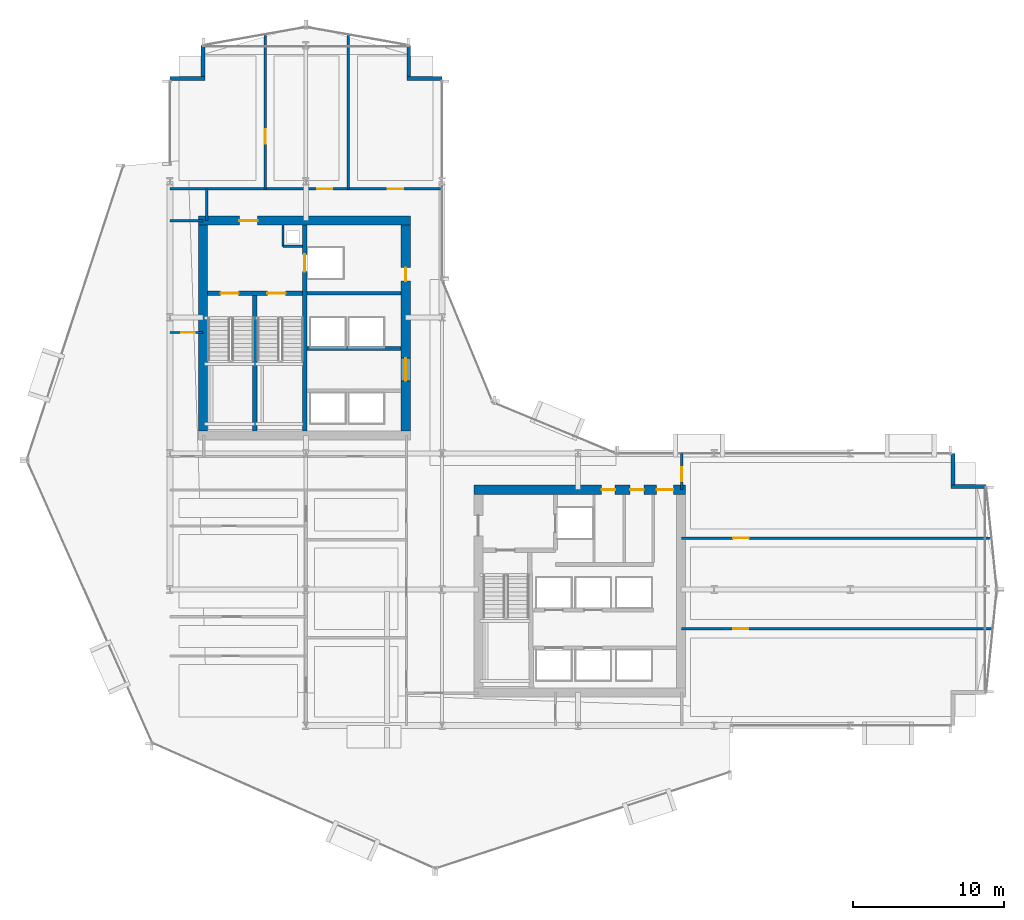
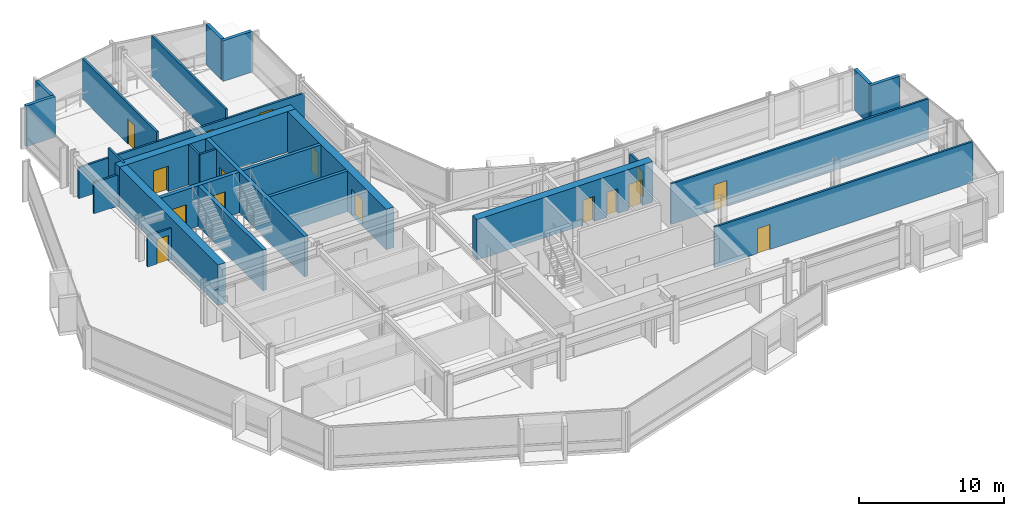
# One storey, part 28 of 34: 26 walls, 16 doors, 16 openings.
"""IFC4 building model written with IfcOpenShell, lengths in metres."""

from ifc_helpers import new_model, si_unit, direction, frame, frame_2d, origin, place, context, subcontext, project, spatial, rectangle, extrude, material, layer, layer_set, type_object, element, fill, save


model = new_model("IFC4")

# Units and contexts
model_context = context("Model", 3, precision=1e-05, world=origin(), true_north=direction((0.0, 1.0)))
body_context = subcontext(model_context, "Body", "Model", "MODEL_VIEW")
ifc_project = project(units=[si_unit("LENGTHUNIT", "METRE"), si_unit("AREAUNIT", "SQUARE_METRE"), si_unit("VOLUMEUNIT", "CUBIC_METRE"), si_unit("PLANEANGLEUNIT", "RADIAN"), si_unit("MASSUNIT", "GRAM", prefix="KILO")], contexts=[model_context])

# Site, building, storey
site_placement = place(None, origin())
site = spatial("IfcSite", under=ifc_project, at=site_placement, CompositionType="ELEMENT")
building_placement = place(site_placement, origin())
building = spatial("IfcBuilding", under=site, at=building_placement, Name="Solvaryn Broadcast Tower", CompositionType="ELEMENT")
storey_placement = place(building_placement, frame((0.0, 0.0, 36.0)))
storey = spatial("IfcBuildingStorey", under=building, at=storey_placement, Name="L07", CompositionType="ELEMENT", Elevation=36.0)

# Wall, opening, door
ifc_material_1 = material(Name="Concrete f'c 70 MPa", Category="concrete")
ifc_layer_1 = layer(ifc_material_1, 0.60009765625)
ifc_layer_set_1 = layer_set([ifc_layer_1], Name="CW-SHEAR-600")
wall_type_1 = type_object("IfcWallType", Name="CW-SHEAR-600", PredefinedType="SHEAR", material=ifc_layer_set_1)
wall_1_placement = place(storey_placement, frame((24.89990234375, 42.39990234375, 0.0), z_axis=(0.0, 0.0, 1.0), x_axis=(-1.0, 0.0, 0.0)))
wall_1 = element("IfcWall", 1, at=wall_1_placement, inside=storey, type_object=wall_type_1, Name="L07 West Core North Shear Wall", PredefinedType="SHEAR", context=body_context, shape_type="SweptSolid", body=[
    extrude(rectangle(XDim=14.0, YDim=0.60009765625, at=frame_2d((7.0, 0.0))), origin(), (0.0, 0.0, 1.0), 3.419921875),
])
opening_1_placement = place(wall_1_placement, frame((10.10009765625, 0.0, 0.0)))
opening_1 = element("IfcOpeningElement", 2, at=opening_1_placement, cuts=wall_1, Name="Opening FD90A", PredefinedType="OPENING", context=body_context, shape_type="SweptSolid", body=[
    extrude(rectangle(XDim=1.199951171875, YDim=2.14990234375, at=frame_2d((0.60009765625, 1.074951171875))), frame((0.0, 0.31005859375, 0.0), z_axis=(0.0, -1.0, 0.0), x_axis=(1.0, 0.0, 0.0)), (0.0, 0.0, 1.0), 0.6201171875),
])
ifc_material_2 = material(Name="Flush Acoustic Steel and Timber Door Assembly", Category="steel")
door_type_1 = type_object("IfcDoorType", Name="FD90-STAIR-1200X2150", OperationType="NOTDEFINED", PredefinedType="DOOR", material=ifc_material_2)
door_1_placement = place(opening_1_placement, origin())
door_1 = element("IfcDoor", 3, at=door_1_placement, inside=storey, type_object=door_type_1, Name="L07 West FSAE Lobby Corridor Door", OperationType="SINGLE_SWING_LEFT", OverallHeight=2.14990234375, OverallWidth=1.199951171875, PredefinedType="DOOR", context=body_context, shape_type="SweptSolid", body=[
    extrude(rectangle(XDim=1.199951171875, YDim=2.14990234375, at=frame_2d((0.60009765625, 1.074951171875))), frame((0.0, 0.02490234375, 0.0), z_axis=(0.0, -1.0, 0.0), x_axis=(1.0, 0.0, 0.0)), (0.0, 0.0, 1.0), 0.050048828125),
])
fill(opening_1, door_1)

# Wall
wall_2_placement = place(storey_placement, frame((11.199951171875, 42.10009765625, 0.0), z_axis=(0.0, 0.0, 1.0), x_axis=(0.0, -1.0, 0.0)))
element("IfcWall", 4, at=wall_2_placement, inside=storey, type_object=wall_type_1, Name="L07 West Core West Shear Wall", PredefinedType="SHEAR", context=body_context, shape_type="SweptSolid", body=[
    extrude(rectangle(XDim=13.60009765625, YDim=0.60009765625, at=frame_2d((6.800048828125, 0.0))), origin(), (0.0, 0.0, 1.0), 3.419921875),
])

# Wall, openings, doors
wall_3_placement = place(storey_placement, frame((24.60009765625, 28.5, 0.0), z_axis=(0.0, 0.0, 1.0), x_axis=(0.0, 1.0, 0.0)))
wall_3 = element("IfcWall", 5, at=wall_3_placement, inside=storey, type_object=wall_type_1, Name="L07 West Core East Shear Wall", PredefinedType="SHEAR", context=body_context, shape_type="SweptSolid", body=[
    extrude(rectangle(XDim=13.60009765625, YDim=0.60009765625, at=frame_2d((6.800048828125, 0.0))), origin(), (0.0, 0.0, 1.0), 3.419921875),
])
opening_2_placement = place(wall_3_placement, frame((3.300048828125, 0.0, 0.0)))
opening_2 = element("IfcOpeningElement", 6, at=opening_2_placement, cuts=wall_3, Name="Opening FD60A", PredefinedType="OPENING", context=body_context, shape_type="SweptSolid", body=[
    extrude(rectangle(XDim=1.5, YDim=2.199951171875, at=frame_2d((0.75, 1.10009765625))), frame((0.0, 0.31005859375, 0.0), z_axis=(0.0, -1.0, 0.0), x_axis=(1.0, 0.0, 0.0)), (0.0, 0.0, 1.0), 0.6201171875),
])
opening_3_placement = place(wall_3_placement, frame((9.89990234375, 0.0, 0.0)))
opening_3 = element("IfcOpeningElement", 7, at=opening_3_placement, cuts=wall_3, Name="Opening FD60C", PredefinedType="OPENING", context=body_context, shape_type="SweptSolid", body=[
    extrude(rectangle(XDim=0.89990234375, YDim=2.10009765625, at=frame_2d((0.449951171875, 1.050048828125))), frame((0.0, 0.31005859375, 0.0), z_axis=(0.0, -1.0, 0.0), x_axis=(1.0, 0.0, 0.0)), (0.0, 0.0, 1.0), 0.6201171875),
])
ifc_material_3 = material(Name="Flush Acoustic Steel and Timber Door Assembly", Category="steel")
door_type_2 = type_object("IfcDoorType", Name="FD60-CORR-1500X2200", OperationType="NOTDEFINED", PredefinedType="DOOR", material=ifc_material_3)
door_2_placement = place(opening_2_placement, origin())
door_2 = element("IfcDoor", 8, at=door_2_placement, inside=storey, type_object=door_type_2, Name="L07 West Elevator Lobby Corridor Door", OperationType="DOUBLE_DOOR_SINGLE_SWING", OverallHeight=2.199951171875, OverallWidth=1.5, PredefinedType="DOOR", context=body_context, shape_type="SweptSolid", body=[
    extrude(rectangle(XDim=1.5, YDim=2.199951171875, at=frame_2d((0.75, 1.10009765625))), frame((0.0, 0.02490234375, 0.0), z_axis=(0.0, -1.0, 0.0), x_axis=(1.0, 0.0, 0.0)), (0.0, 0.0, 1.0), 0.050048828125),
])
fill(opening_2, door_2)
ifc_material_4 = material(Name="Flush Acoustic Steel and Timber Door Assembly", Category="steel")
door_type_3 = type_object("IfcDoorType", Name="FD60-SERV-900X2100", OperationType="NOTDEFINED", PredefinedType="DOOR", material=ifc_material_4)
door_3_placement = place(opening_3_placement, origin())
door_3 = element("IfcDoor", 9, at=door_3_placement, inside=storey, type_object=door_type_3, Name="L07 West Core Service Door 1", OperationType="SINGLE_SWING_LEFT", OverallHeight=2.10009765625, OverallWidth=0.89990234375, PredefinedType="DOOR", context=body_context, shape_type="SweptSolid", body=[
    extrude(rectangle(XDim=0.89990234375, YDim=2.10009765625, at=frame_2d((0.449951171875, 1.050048828125))), frame((0.0, 0.02490234375, 0.0), z_axis=(0.0, -1.0, 0.0), x_axis=(1.0, 0.0, 0.0)), (0.0, 0.0, 1.0), 0.050048828125),
])
fill(opening_3, door_3)

wall_4_placement = place(storey_placement, frame((43.10009765625, 24.60009765625, 0.0), z_axis=(0.0, 0.0, 1.0), x_axis=(-1.0, 0.0, 0.0)))
wall_4 = element("IfcWall", 10, at=wall_4_placement, inside=storey, type_object=wall_type_1, Name="L07 East Core North Shear Wall", PredefinedType="SHEAR", context=body_context, shape_type="SweptSolid", body=[
    extrude(rectangle(XDim=14.0, YDim=0.60009765625, at=frame_2d((7.0, 0.0))), origin(), (0.0, 0.0, 1.0), 3.419921875),
])
opening_4_placement = place(wall_4_placement, frame((0.800048828125, 0.0, 0.0)))
opening_4 = element("IfcOpeningElement", 11, at=opening_4_placement, cuts=wall_4, Name="Opening FD90C", PredefinedType="OPENING", context=body_context, shape_type="SweptSolid", body=[
    extrude(rectangle(XDim=1.10009765625, YDim=2.14990234375, at=frame_2d((0.550048828125, 1.074951171875))), frame((0.0, 0.31005859375, 0.0), z_axis=(0.0, -1.0, 0.0), x_axis=(1.0, 0.0, 0.0)), (0.0, 0.0, 1.0), 0.6201171875),
])
opening_5_placement = place(wall_4_placement, frame((2.75, 0.0, 0.0)))
opening_5 = element("IfcOpeningElement", 12, at=opening_5_placement, cuts=wall_4, Name="Opening FD60C", PredefinedType="OPENING", context=body_context, shape_type="SweptSolid", body=[
    extrude(rectangle(XDim=0.89990234375, YDim=2.10009765625, at=frame_2d((0.449951171875, 1.050048828125))), frame((0.0, 0.31005859375, 0.0), z_axis=(0.0, -1.0, 0.0), x_axis=(1.0, 0.0, 0.0)), (0.0, 0.0, 1.0), 0.6201171875),
])
opening_6_placement = place(wall_4_placement, frame((4.64990234375, 0.0, 0.0)))
opening_6 = element("IfcOpeningElement", 13, at=opening_6_placement, cuts=wall_4, Name="Opening FD60C", PredefinedType="OPENING", context=body_context, shape_type="SweptSolid", body=[
    extrude(rectangle(XDim=0.89990234375, YDim=2.10009765625, at=frame_2d((0.449951171875, 1.050048828125))), frame((0.0, 0.31005859375, 0.0), z_axis=(0.0, -1.0, 0.0), x_axis=(1.0, 0.0, 0.0)), (0.0, 0.0, 1.0), 0.6201171875),
])
door_4_placement = place(opening_5_placement, origin())
door_4 = element("IfcDoor", 14, at=door_4_placement, inside=storey, type_object=door_type_3, Name="L07 Staff Restroom Door", OperationType="SINGLE_SWING_LEFT", OverallHeight=2.10009765625, OverallWidth=0.89990234375, PredefinedType="DOOR", context=body_context, shape_type="SweptSolid", body=[
    extrude(rectangle(XDim=0.89990234375, YDim=2.10009765625, at=frame_2d((0.449951171875, 1.050048828125))), frame((0.0, 0.02490234375, 0.0), z_axis=(0.0, -1.0, 0.0), x_axis=(1.0, 0.0, 0.0)), (0.0, 0.0, 1.0), 0.050048828125),
])
fill(opening_5, door_4)
door_5_placement = place(opening_6_placement, origin())
door_5 = element("IfcDoor", 15, at=door_5_placement, inside=storey, type_object=door_type_3, Name="L07 Accessible WC Door", OperationType="SINGLE_SWING_RIGHT", OverallHeight=2.10009765625, OverallWidth=0.89990234375, PredefinedType="DOOR", context=body_context, shape_type="SweptSolid", body=[
    extrude(rectangle(XDim=0.89990234375, YDim=2.10009765625, at=frame_2d((0.449951171875, 1.050048828125))), frame((0.0, 0.02490234375, 0.0), z_axis=(0.0, -1.0, 0.0), x_axis=(1.0, 0.0, 0.0)), (0.0, 0.0, 1.0), 0.050048828125),
])
fill(opening_6, door_5)
ifc_material_5 = material(Name="Flush Acoustic Steel and Timber Door Assembly", Category="steel")
door_type_4 = type_object("IfcDoorType", Name="FD90-PLANT-1100X2150", OperationType="NOTDEFINED", PredefinedType="DOOR", material=ifc_material_5)
door_6_placement = place(opening_4_placement, origin())
door_6 = element("IfcDoor", 16, at=door_6_placement, inside=storey, type_object=door_type_4, Name="L07 East Core Lobby Corridor Door", OperationType="SINGLE_SWING_LEFT", OverallHeight=2.14990234375, OverallWidth=1.10009765625, PredefinedType="DOOR", context=body_context, shape_type="SweptSolid", body=[
    extrude(rectangle(XDim=1.10009765625, YDim=2.14990234375, at=frame_2d((0.550048828125, 1.074951171875))), frame((0.0, 0.02490234375, 0.0), z_axis=(0.0, -1.0, 0.0), x_axis=(1.0, 0.0, 0.0)), (0.0, 0.0, 1.0), 0.050048828125),
])
fill(opening_4, door_6)

# Walls
ifc_material_6 = material(Name="Concrete f'c 50 MPa", Category="concrete")
ifc_layer_2 = layer(ifc_material_6, 0.260009765625)
ifc_layer_set_2 = layer_set([ifc_layer_2], Name="EW-PIER-260")
wall_type_2 = type_object("IfcWallType", Name="EW-PIER-260", PredefinedType="SOLIDWALL", material=ifc_layer_set_2)
wall_5_placement = place(storey_placement, frame((9.0, 51.800048828125, 0.0), z_axis=(0.0, 0.0, 1.0), x_axis=(1.0, 0.0, 0.0)))
element("IfcWall", 17, at=wall_5_placement, inside=storey, type_object=wall_type_2, Name="L07 Notched Corner Pier Wall NNW1", PredefinedType="SOLIDWALL", context=body_context, shape_type="SweptSolid", body=[
    extrude(rectangle(XDim=2.320068359375, YDim=0.260009765625, at=frame_2d((1.16015625, 0.0))), origin(), (0.0, 0.0, 1.0), 3.419921875),
])
for number, where, z_axis, x_axis, name in (
    (18, (11.199951171875, 51.919921875, 0.0), (0.0, 0.0, 1.0), (0.0, 1.0, 0.0), "L07 Notched Corner Pier Wall NNW2"),
    (19, (24.800048828125, 54.0, 0.0), (0.0, 0.0, 1.0), (0.0, -1.0, 0.0), "L07 Notched Corner Pier Wall NNE1"),
):
    element("IfcWall", number, at=place(storey_placement, frame(where, z_axis=z_axis, x_axis=x_axis)), inside=storey, type_object=wall_type_2, Name=name, PredefinedType="SOLIDWALL", context=body_context, shape_type="SweptSolid", body=[
        extrude(rectangle(XDim=2.080078125, YDim=0.260009765625, at=frame_2d((1.0400390625, 0.0))), origin(), (0.0, 0.0, 1.0), 3.419921875),
    ])
for number, where, z_axis, x_axis, name in (
    (20, (24.679931640625, 51.800048828125, 0.0), (0.0, 0.0, 1.0), (1.0, 0.0, 0.0), "L07 Notched Corner Pier Wall NNE2"),
    (21, (63.0, 24.800048828125, 0.0), (0.0, 0.0, 1.0), (-1.0, 0.0, 0.0), "L07 Notched Corner Pier Wall NEE1"),
):
    element("IfcWall", number, at=place(storey_placement, frame(where, z_axis=z_axis, x_axis=x_axis)), inside=storey, type_object=wall_type_2, Name=name, PredefinedType="SOLIDWALL", context=body_context, shape_type="SweptSolid", body=[
        extrude(rectangle(XDim=2.320068359375, YDim=0.260009765625, at=frame_2d((1.16015625, 0.0))), origin(), (0.0, 0.0, 1.0), 3.419921875),
    ])
wall_6_placement = place(storey_placement, frame((60.800048828125, 24.919921875, 0.0), z_axis=(0.0, 0.0, 1.0), x_axis=(0.0, 1.0, 0.0)))
element("IfcWall", 22, at=wall_6_placement, inside=storey, type_object=wall_type_2, Name="L07 Notched Corner Pier Wall NEE2", PredefinedType="SOLIDWALL", context=body_context, shape_type="SweptSolid", body=[
    extrude(rectangle(XDim=2.080078125, YDim=0.260009765625, at=frame_2d((1.0400390625, 0.0))), origin(), (0.0, 0.0, 1.0), 3.419921875),
])
ifc_material_7 = material(Name="Metal-Stud Service Core Partition")
ifc_layer_3 = layer(ifc_material_7, 0.14990234375)
ifc_layer_set_3 = layer_set([ifc_layer_3], Name="IW-PART-150")
wall_type_3 = type_object("IfcWallType", Name="IW-PART-150", PredefinedType="PARTITIONING", material=ifc_layer_set_3)
wall_7_placement = place(storey_placement, frame((16.47998046875, 40.699951171875, 0.0), z_axis=(0.0, 0.0, 1.0), x_axis=(1.0, 0.0, 0.0)))
element("IfcWall", 23, at=wall_7_placement, inside=storey, type_object=wall_type_3, Name="L07 West Core Riser Shaft South Wall", PredefinedType="PARTITIONING", context=body_context, shape_type="SweptSolid", body=[
    extrude(rectangle(XDim=1.2900390625, YDim=0.14990234375, at=frame_2d((0.64501953125, 0.0))), origin(), (0.0, 0.0, 1.0), 3.419921875),
])
wall_8_placement = place(storey_placement, frame((16.47998046875, 40.699951171875, 0.0), z_axis=(0.0, 0.0, 1.0), x_axis=(0.0, 1.0, 0.0)))
element("IfcWall", 24, at=wall_8_placement, inside=storey, type_object=wall_type_3, Name="L07 West Core Riser Shaft West Wall", PredefinedType="PARTITIONING", context=body_context, shape_type="SweptSolid", body=[
    extrude(rectangle(XDim=1.400146484375, YDim=0.14990234375, at=frame_2d((0.7001953125, 0.0))), origin(), (0.0, 0.0, 1.0), 3.419921875),
])

# Wall, opening, door
wall_9_placement = place(storey_placement, frame((9.0, 35.0, 0.0), z_axis=(0.0, 0.0, 1.0), x_axis=(1.0, 0.0, 0.0)))
wall_9 = element("IfcWall", 25, at=wall_9_placement, inside=storey, type_object=wall_type_3, Name="L07 Interior Partition IW-L07-WM-M", PredefinedType="PARTITIONING", context=body_context, shape_type="SweptSolid", body=[
    extrude(rectangle(XDim=2.199951171875, YDim=0.14990234375, at=frame_2d((1.10009765625, 0.0))), origin(), (0.0, 0.0, 1.0), 2.626953125),
])
opening_7_placement = place(wall_9_placement, frame((0.75, 0.0, 0.0)))
opening_7 = element("IfcOpeningElement", 26, at=opening_7_placement, cuts=wall_9, Name="Opening FD60C", PredefinedType="OPENING", context=body_context, shape_type="SweptSolid", body=[
    extrude(rectangle(XDim=0.89990234375, YDim=2.10009765625, at=frame_2d((0.449951171875, 1.050048828125))), frame((0.0, 0.0849609375, 0.0), z_axis=(0.0, -1.0, 0.0), x_axis=(1.0, 0.0, 0.0)), (0.0, 0.0, 1.0), 0.169921875),
])
door_7_placement = place(opening_7_placement, origin())
door_7 = element("IfcDoor", 27, at=door_7_placement, inside=storey, type_object=door_type_3, Name="L07 Door DR-L07-WM1", OperationType="SINGLE_SWING_LEFT", OverallHeight=2.10009765625, OverallWidth=0.89990234375, PredefinedType="DOOR", context=body_context, shape_type="SweptSolid", body=[
    extrude(rectangle(XDim=0.89990234375, YDim=2.10009765625, at=frame_2d((0.449951171875, 1.050048828125))), frame((0.0, 0.02490234375, 0.0), z_axis=(0.0, -1.0, 0.0), x_axis=(1.0, 0.0, 0.0)), (0.0, 0.0, 1.0), 0.050048828125),
])
fill(opening_7, door_7)

# Walls
ifc_material_8 = material(Name="Metal-Stud Gypsum Office Partition")
ifc_layer_4 = layer(ifc_material_8, 0.159912109375)
ifc_layer_set_4 = layer_set([ifc_layer_4], Name="IW-PART-160")
wall_type_4 = type_object("IfcWallType", Name="IW-PART-160", PredefinedType="PARTITIONING", material=ifc_layer_set_4)
wall_10_placement = place(storey_placement, frame((9.0, 42.39990234375, 0.0), z_axis=(0.0, 0.0, 1.0), x_axis=(1.0, 0.0, 0.0)))
element("IfcWall", 28, at=wall_10_placement, inside=storey, type_object=wall_type_4, Name="L07 Interior Partition IW-L07-WM-N", PredefinedType="PARTITIONING", context=body_context, shape_type="SweptSolid", body=[
    extrude(rectangle(XDim=2.199951171875, YDim=0.159912109375, at=frame_2d((1.10009765625, 0.0))), origin(), (0.0, 0.0, 1.0), 2.626953125),
])
wall_11_placement = place(storey_placement, frame((11.449951171875, 42.39990234375, 0.0), z_axis=(0.0, 0.0, 1.0), x_axis=(0.0, 1.0, 0.0)))
element("IfcWall", 29, at=wall_11_placement, inside=storey, type_object=wall_type_4, Name="L07 Interior Partition IW-L07-WM-E", PredefinedType="PARTITIONING", context=body_context, shape_type="SweptSolid", body=[
    extrude(rectangle(XDim=2.10009765625, YDim=0.159912109375, at=frame_2d((1.050048828125, 0.0))), origin(), (0.0, 0.0, 1.0), 3.419921875),
])

# Wall, openings, doors
wall_12_placement = place(storey_placement, frame((9.0, 44.5, 0.0), z_axis=(0.0, 0.0, 1.0), x_axis=(1.0, 0.0, 0.0)))
wall_12 = element("IfcWall", 30, at=wall_12_placement, inside=storey, type_object=wall_type_4, Name="L07 Interior Partition IW-L07-NW-SB", PredefinedType="PARTITIONING", context=body_context, shape_type="SweptSolid", body=[
    extrude(rectangle(XDim=18.0, YDim=0.159912109375, at=frame_2d((9.0, 0.0))), origin(), (0.0, 0.0, 1.0), 2.626953125),
])
opening_8_placement = place(wall_12_placement, frame((9.75, 0.0, 0.0)))
opening_8 = element("IfcOpeningElement", 31, at=opening_8_placement, cuts=wall_12, Name="Opening ID02", PredefinedType="OPENING", context=body_context, shape_type="SweptSolid", body=[
    extrude(rectangle(XDim=1.0, YDim=2.10009765625, at=frame_2d((0.5, 1.050048828125))), frame((0.0, 0.090087890625, 0.0), z_axis=(0.0, -1.0, 0.0), x_axis=(1.0, 0.0, 0.0)), (0.0, 0.0, 1.0), 0.179931640625),
])
opening_9_placement = place(wall_12_placement, frame((14.39990234375, 0.0, 0.0)))
opening_9 = element("IfcOpeningElement", 32, at=opening_9_placement, cuts=wall_12, Name="Opening ID03", PredefinedType="OPENING", context=body_context, shape_type="SweptSolid", body=[
    extrude(rectangle(XDim=1.050048828125, YDim=2.14990234375, at=frame_2d((0.52490234375, 1.074951171875))), frame((0.0, 0.090087890625, 0.0), z_axis=(0.0, -1.0, 0.0), x_axis=(1.0, 0.0, 0.0)), (0.0, 0.0, 1.0), 0.179931640625),
])
ifc_material_9 = material(Name="Flush Acoustic Steel and Timber Door Assembly", Category="steel")
door_type_5 = type_object("IfcDoorType", Name="ID-02-1000X2100", OperationType="NOTDEFINED", PredefinedType="DOOR", material=ifc_material_9)
door_8_placement = place(opening_8_placement, origin())
door_8 = element("IfcDoor", 33, at=door_8_placement, inside=storey, type_object=door_type_5, Name="L07 Door DR-L07-NW-2", OperationType="SINGLE_SWING_RIGHT", OverallHeight=2.10009765625, OverallWidth=1.0, PredefinedType="DOOR", context=body_context, shape_type="SweptSolid", body=[
    extrude(rectangle(XDim=1.0, YDim=2.10009765625, at=frame_2d((0.5, 1.050048828125))), frame((0.0, 0.02490234375, 0.0), z_axis=(0.0, -1.0, 0.0), x_axis=(1.0, 0.0, 0.0)), (0.0, 0.0, 1.0), 0.050048828125),
])
fill(opening_8, door_8)
ifc_material_10 = material(Name="Flush Acoustic Steel and Timber Door Assembly", Category="steel")
door_type_6 = type_object("IfcDoorType", Name="ID-03-1050X2150", OperationType="NOTDEFINED", PredefinedType="DOOR", material=ifc_material_10)
door_9_placement = place(opening_9_placement, origin())
door_9 = element("IfcDoor", 34, at=door_9_placement, inside=storey, type_object=door_type_6, Name="L07 Door DR-L07-NW-3", OperationType="SINGLE_SWING_LEFT", OverallHeight=2.14990234375, OverallWidth=1.050048828125, PredefinedType="DOOR", context=body_context, shape_type="SweptSolid", body=[
    extrude(rectangle(XDim=1.050048828125, YDim=2.14990234375, at=frame_2d((0.52490234375, 1.074951171875))), frame((0.0, 0.02490234375, 0.0), z_axis=(0.0, -1.0, 0.0), x_axis=(1.0, 0.0, 0.0)), (0.0, 0.0, 1.0), 0.050048828125),
])
fill(opening_9, door_9)

# Wall, opening, door
wall_13_placement = place(storey_placement, frame((15.300048828125, 44.5, 0.0), z_axis=(0.0, 0.0, 1.0), x_axis=(0.0, 1.0, 0.0)))
wall_13 = element("IfcWall", 35, at=wall_13_placement, inside=storey, type_object=wall_type_4, Name="L07 Interior Partition IW-L07-NW-V1", PredefinedType="PARTITIONING", context=body_context, shape_type="SweptSolid", body=[
    extrude(rectangle(XDim=10.22412109375, YDim=0.159912109375, at=frame_2d((5.112060546875, 0.0))), origin(), (0.0, 0.0, 1.0), 3.419921875),
])
opening_10_placement = place(wall_13_placement, frame((3.0, 0.0, 0.0)))
opening_10 = element("IfcOpeningElement", 36, at=opening_10_placement, cuts=wall_13, Name="Opening ID01", PredefinedType="OPENING", context=body_context, shape_type="SweptSolid", body=[
    extrude(rectangle(XDim=0.949951171875, YDim=2.10009765625, at=frame_2d((0.47509765625, 1.050048828125))), frame((0.0, 0.090087890625, 0.0), z_axis=(0.0, -1.0, 0.0), x_axis=(1.0, 0.0, 0.0)), (0.0, 0.0, 1.0), 0.179931640625),
])
ifc_material_11 = material(Name="Flush Acoustic Steel and Timber Door Assembly", Category="steel")
door_type_7 = type_object("IfcDoorType", Name="ID-01-950X2100", OperationType="NOTDEFINED", PredefinedType="DOOR", material=ifc_material_11)
door_10_placement = place(opening_10_placement, origin())
door_10 = element("IfcDoor", 37, at=door_10_placement, inside=storey, type_object=door_type_7, Name="L07 Door DR-L07-NW-C1", OperationType="SINGLE_SWING_LEFT", OverallHeight=2.10009765625, OverallWidth=0.949951171875, PredefinedType="DOOR", context=body_context, shape_type="SweptSolid", body=[
    extrude(rectangle(XDim=0.949951171875, YDim=2.10009765625, at=frame_2d((0.47509765625, 1.050048828125))), frame((0.0, 0.02490234375, 0.0), z_axis=(0.0, -1.0, 0.0), x_axis=(1.0, 0.0, 0.0)), (0.0, 0.0, 1.0), 0.050048828125),
])
fill(opening_10, door_10)

# Wall
wall_14_placement = place(storey_placement, frame((20.800048828125, 44.5, 0.0), z_axis=(0.0, 0.0, 1.0), x_axis=(0.0, 1.0, 0.0)))
element("IfcWall", 38, at=wall_14_placement, inside=storey, type_object=wall_type_4, Name="L07 Interior Partition IW-L07-NW-V2", PredefinedType="PARTITIONING", context=body_context, shape_type="SweptSolid", body=[
    extrude(rectangle(XDim=10.2060546875, YDim=0.159912109375, at=frame_2d((5.10302734375, 0.0))), origin(), (0.0, 0.0, 1.0), 3.419921875),
])

# Wall, opening, door
wall_15_placement = place(storey_placement, frame((42.85009765625, 24.60009765625, 0.0), z_axis=(0.0, 0.0, 1.0), x_axis=(0.0, 1.0, 0.0)))
wall_15 = element("IfcWall", 39, at=wall_15_placement, inside=storey, type_object=wall_type_4, Name="L07 Interior Partition IW-L07-EW-BN", PredefinedType="PARTITIONING", context=body_context, shape_type="SweptSolid", body=[
    extrude(rectangle(XDim=2.39990234375, YDim=0.159912109375, at=frame_2d((1.199951171875, 0.0))), origin(), (0.0, 0.0, 1.0), 2.626953125),
])
opening_11_placement = place(wall_15_placement, frame((0.550048828125, 0.0, 0.0)))
opening_11 = element("IfcOpeningElement", 40, at=opening_11_placement, cuts=wall_15, Name="Opening ID01", PredefinedType="OPENING", context=body_context, shape_type="SweptSolid", body=[
    extrude(rectangle(XDim=0.949951171875, YDim=2.10009765625, at=frame_2d((0.47509765625, 1.050048828125))), frame((0.0, 0.090087890625, 0.0), z_axis=(0.0, -1.0, 0.0), x_axis=(1.0, 0.0, 0.0)), (0.0, 0.0, 1.0), 0.179931640625),
])
door_11_placement = place(opening_11_placement, origin())
door_11 = element("IfcDoor", 41, at=door_11_placement, inside=storey, type_object=door_type_7, Name="L07 Door DR-L07-EW0", OperationType="SINGLE_SWING_RIGHT", OverallHeight=2.10009765625, OverallWidth=0.949951171875, PredefinedType="DOOR", context=body_context, shape_type="SweptSolid", body=[
    extrude(rectangle(XDim=0.949951171875, YDim=2.10009765625, at=frame_2d((0.47509765625, 1.050048828125))), frame((0.0, 0.02490234375, 0.0), z_axis=(0.0, -1.0, 0.0), x_axis=(1.0, 0.0, 0.0)), (0.0, 0.0, 1.0), 0.050048828125),
])
fill(opening_11, door_11)

wall_16_placement = place(storey_placement, frame((42.85009765625, 15.39990234375, 0.0), z_axis=(0.0, 0.0, 1.0), x_axis=(1.0, 0.0, 0.0)))
wall_16 = element("IfcWall", 42, at=wall_16_placement, inside=storey, type_object=wall_type_4, Name="L07 Interior Partition IW-L07-EW-H1", PredefinedType="PARTITIONING", context=body_context, shape_type="SweptSolid", body=[
    extrude(rectangle(XDim=20.581787109375, YDim=0.159912109375, at=frame_2d((10.291015625, 0.0))), origin(), (0.0, 0.0, 1.0), 3.419921875),
])
opening_12_placement = place(wall_16_placement, frame((3.39990234375, 0.0, 0.0)))
opening_12 = element("IfcOpeningElement", 43, at=opening_12_placement, cuts=wall_16, Name="Opening ID02", PredefinedType="OPENING", context=body_context, shape_type="SweptSolid", body=[
    extrude(rectangle(XDim=1.0, YDim=2.10009765625, at=frame_2d((0.5, 1.050048828125))), frame((0.0, 0.090087890625, 0.0), z_axis=(0.0, -1.0, 0.0), x_axis=(1.0, 0.0, 0.0)), (0.0, 0.0, 1.0), 0.179931640625),
])
door_12_placement = place(opening_12_placement, origin())
door_12 = element("IfcDoor", 44, at=door_12_placement, inside=storey, type_object=door_type_5, Name="L07 Door DR-L07-EW-1", OperationType="SINGLE_SWING_LEFT", OverallHeight=2.10009765625, OverallWidth=1.0, PredefinedType="DOOR", context=body_context, shape_type="SweptSolid", body=[
    extrude(rectangle(XDim=1.0, YDim=2.10009765625, at=frame_2d((0.5, 1.050048828125))), frame((0.0, 0.02490234375, 0.0), z_axis=(0.0, -1.0, 0.0), x_axis=(1.0, 0.0, 0.0)), (0.0, 0.0, 1.0), 0.050048828125),
])
fill(opening_12, door_12)

wall_17_placement = place(storey_placement, frame((42.85009765625, 21.39990234375, 0.0), z_axis=(0.0, 0.0, 1.0), x_axis=(1.0, 0.0, 0.0)))
wall_17 = element("IfcWall", 45, at=wall_17_placement, inside=storey, type_object=wall_type_4, Name="L07 Interior Partition IW-L07-EW-H2", PredefinedType="PARTITIONING", context=body_context, shape_type="SweptSolid", body=[
    extrude(rectangle(XDim=20.5, YDim=0.159912109375, at=frame_2d((10.25, 0.0))), origin(), (0.0, 0.0, 1.0), 3.419921875),
])
opening_13_placement = place(wall_17_placement, frame((3.39990234375, 0.0, 0.0)))
opening_13 = element("IfcOpeningElement", 46, at=opening_13_placement, cuts=wall_17, Name="Opening ID03", PredefinedType="OPENING", context=body_context, shape_type="SweptSolid", body=[
    extrude(rectangle(XDim=1.050048828125, YDim=2.14990234375, at=frame_2d((0.52490234375, 1.074951171875))), frame((0.0, 0.090087890625, 0.0), z_axis=(0.0, -1.0, 0.0), x_axis=(1.0, 0.0, 0.0)), (0.0, 0.0, 1.0), 0.179931640625),
])
door_13_placement = place(opening_13_placement, origin())
door_13 = element("IfcDoor", 47, at=door_13_placement, inside=storey, type_object=door_type_6, Name="L07 Door DR-L07-EW-2", OperationType="SINGLE_SWING_RIGHT", OverallHeight=2.14990234375, OverallWidth=1.050048828125, PredefinedType="DOOR", context=body_context, shape_type="SweptSolid", body=[
    extrude(rectangle(XDim=1.050048828125, YDim=2.14990234375, at=frame_2d((0.52490234375, 1.074951171875))), frame((0.0, 0.02490234375, 0.0), z_axis=(0.0, -1.0, 0.0), x_axis=(1.0, 0.0, 0.0)), (0.0, 0.0, 1.0), 0.050048828125),
])
fill(opening_13, door_13)

# Walls
ifc_material_12 = material(Name="Concrete f'c 60 MPa", Category="concrete")
ifc_layer_5 = layer(ifc_material_12, 0.25)
ifc_layer_set_5 = layer_set([ifc_layer_5], Name="SW-SHAFT-250")
wall_type_5 = type_object("IfcWallType", Name="SW-SHAFT-250", PredefinedType="PARTITIONING", material=ifc_layer_set_5)
for number, where, z_axis, x_axis, name in (
    (48, (18.070068359375, 37.60009765625, 0.0), (0.0, 0.0, 1.0), (1.0, 0.0, 0.0), "L07 West Core FSAE Hoistway Front Wall"),
    (49, (24.300048828125, 33.949951171875, 0.0), (0.0, 0.0, 1.0), (-1.0, 0.0, 0.0), "L07 High-Rise Lift Bank North Wall"),
):
    element("IfcWall", number, at=place(storey_placement, frame(where, z_axis=z_axis, x_axis=x_axis)), inside=storey, type_object=wall_type_5, Name=name, PredefinedType="PARTITIONING", context=body_context, shape_type="SweptSolid", body=[
        extrude(rectangle(XDim=6.22998046875, YDim=0.25, at=frame_2d((3.114990234375, 0.0))), origin(), (0.0, 0.0, 1.0), 3.419921875),
    ])
ifc_material_13 = material(Name="Concrete f'c 70 MPa", Category="concrete")
ifc_layer_6 = layer(ifc_material_13, 0.300048828125)
ifc_layer_set_6 = layer_set([ifc_layer_6], Name="SW-SHAFT-300")
wall_type_6 = type_object("IfcWallType", Name="SW-SHAFT-300", PredefinedType="SHEAR", material=ifc_layer_set_6)
wall_18_placement = place(storey_placement, frame((14.6201171875, 28.5, 0.0), z_axis=(0.0, 0.0, 1.0), x_axis=(0.0, 1.0, 0.0)))
element("IfcWall", 50, at=wall_18_placement, inside=storey, type_object=wall_type_6, Name="L07 Stair 1-2 Dividing Wall", PredefinedType="SHEAR", context=body_context, shape_type="SweptSolid", body=[
    extrude(rectangle(XDim=8.949951171875, YDim=0.300048828125, at=frame_2d((4.47509765625, 0.0))), origin(), (0.0, 0.0, 1.0), 3.419921875),
])

# Wall, opening, door
wall_19_placement = place(storey_placement, frame((17.919921875, 42.10009765625, 0.0), z_axis=(0.0, 0.0, 1.0), x_axis=(0.0, -1.0, 0.0)))
wall_19 = element("IfcWall", 51, at=wall_19_placement, inside=storey, type_object=wall_type_6, Name="L07 West Core Stair-Lobby Shear Wall", PredefinedType="SHEAR", context=body_context, shape_type="SweptSolid", body=[
    extrude(rectangle(XDim=13.60009765625, YDim=0.300048828125, at=frame_2d((6.800048828125, 0.0))), origin(), (0.0, 0.0, 1.0), 3.419921875),
])
opening_14_placement = place(wall_19_placement, frame((1.925048828125, 0.0, 0.0)))
opening_14 = element("IfcOpeningElement", 52, at=opening_14_placement, cuts=wall_19, Name="Opening LD01", PredefinedType="OPENING", context=body_context, shape_type="SweptSolid", body=[
    extrude(rectangle(XDim=1.14990234375, YDim=2.14990234375, at=frame_2d((0.574951171875, 1.074951171875))), frame((0.0, 0.159912109375, 0.0), z_axis=(0.0, -1.0, 0.0), x_axis=(1.0, 0.0, 0.0)), (0.0, 0.0, 1.0), 0.320068359375),
])
ifc_material_14 = material(Name="Flush Acoustic Steel and Timber Door Assembly", Category="steel")
door_type_8 = type_object("IfcDoorType", Name="LD-LIFT-1150X2150", OperationType="NOTDEFINED", PredefinedType="DOOR", material=ifc_material_14)
door_14_placement = place(opening_14_placement, origin())
door_14 = element("IfcDoor", 53, at=door_14_placement, inside=storey, type_object=door_type_8, Name="L07 FL1 Lift Landing Door", OperationType="DOUBLE_DOOR_SLIDING", OverallHeight=2.14990234375, OverallWidth=1.14990234375, PredefinedType="DOOR", context=body_context, shape_type="SweptSolid", body=[
    extrude(rectangle(XDim=1.14990234375, YDim=2.14990234375, at=frame_2d((0.574951171875, 1.074951171875))), frame((0.0, 0.02490234375, 0.0), z_axis=(0.0, -1.0, 0.0), x_axis=(1.0, 0.0, 0.0)), (0.0, 0.0, 1.0), 0.050048828125),
])
fill(opening_14, door_14)

# Wall, openings, doors
wall_20_placement = place(storey_placement, frame((17.77001953125, 37.60009765625, 0.0), z_axis=(0.0, 0.0, 1.0), x_axis=(-1.0, 0.0, 0.0)))
wall_20 = element("IfcWall", 54, at=wall_20_placement, inside=storey, type_object=wall_type_6, Name="L07 West Core FSAE Lobby South Wall", PredefinedType="SHEAR", context=body_context, shape_type="SweptSolid", body=[
    extrude(rectangle(XDim=6.27001953125, YDim=0.300048828125, at=frame_2d((3.135009765625, 0.0))), origin(), (0.0, 0.0, 1.0), 3.419921875),
])
opening_15_placement = place(wall_20_placement, frame((4.219970703125, 0.0, 0.0)))
opening_15 = element("IfcOpeningElement", 55, at=opening_15_placement, cuts=wall_20, Name="Opening FD90A", PredefinedType="OPENING", context=body_context, shape_type="SweptSolid", body=[
    extrude(rectangle(XDim=1.199951171875, YDim=2.14990234375, at=frame_2d((0.60009765625, 1.074951171875))), frame((0.0, 0.159912109375, 0.0), z_axis=(0.0, -1.0, 0.0), x_axis=(1.0, 0.0, 0.0)), (0.0, 0.0, 1.0), 0.320068359375),
])
opening_16_placement = place(wall_20_placement, frame((1.1201171875, 0.0, 0.0)))
opening_16 = element("IfcOpeningElement", 56, at=opening_16_placement, cuts=wall_20, Name="Opening FD90A", PredefinedType="OPENING", context=body_context, shape_type="SweptSolid", body=[
    extrude(rectangle(XDim=1.199951171875, YDim=2.14990234375, at=frame_2d((0.60009765625, 1.074951171875))), frame((0.0, 0.159912109375, 0.0), z_axis=(0.0, -1.0, 0.0), x_axis=(1.0, 0.0, 0.0)), (0.0, 0.0, 1.0), 0.320068359375),
])
door_15_placement = place(opening_15_placement, origin())
door_15 = element("IfcDoor", 57, at=door_15_placement, inside=storey, type_object=door_type_1, Name="L07 Stair 1 Fire Door", OperationType="SINGLE_SWING_LEFT", OverallHeight=2.14990234375, OverallWidth=1.199951171875, PredefinedType="DOOR", context=body_context, shape_type="SweptSolid", body=[
    extrude(rectangle(XDim=1.199951171875, YDim=2.14990234375, at=frame_2d((0.60009765625, 1.074951171875))), frame((0.0, 0.02490234375, 0.0), z_axis=(0.0, -1.0, 0.0), x_axis=(1.0, 0.0, 0.0)), (0.0, 0.0, 1.0), 0.050048828125),
])
fill(opening_15, door_15)
door_16_placement = place(opening_16_placement, origin())
door_16 = element("IfcDoor", 58, at=door_16_placement, inside=storey, type_object=door_type_1, Name="L07 Stair 2 Fire Door", OperationType="SINGLE_SWING_RIGHT", OverallHeight=2.14990234375, OverallWidth=1.199951171875, PredefinedType="DOOR", context=body_context, shape_type="SweptSolid", body=[
    extrude(rectangle(XDim=1.199951171875, YDim=2.14990234375, at=frame_2d((0.60009765625, 1.074951171875))), frame((0.0, 0.02490234375, 0.0), z_axis=(0.0, -1.0, 0.0), x_axis=(1.0, 0.0, 0.0)), (0.0, 0.0, 1.0), 0.050048828125),
])
fill(opening_16, door_16)

save(model, "model.ifc")
